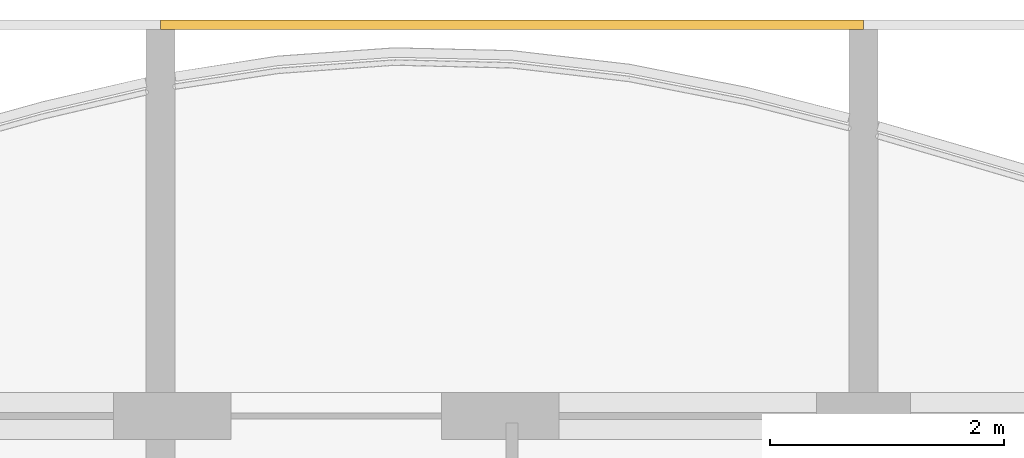
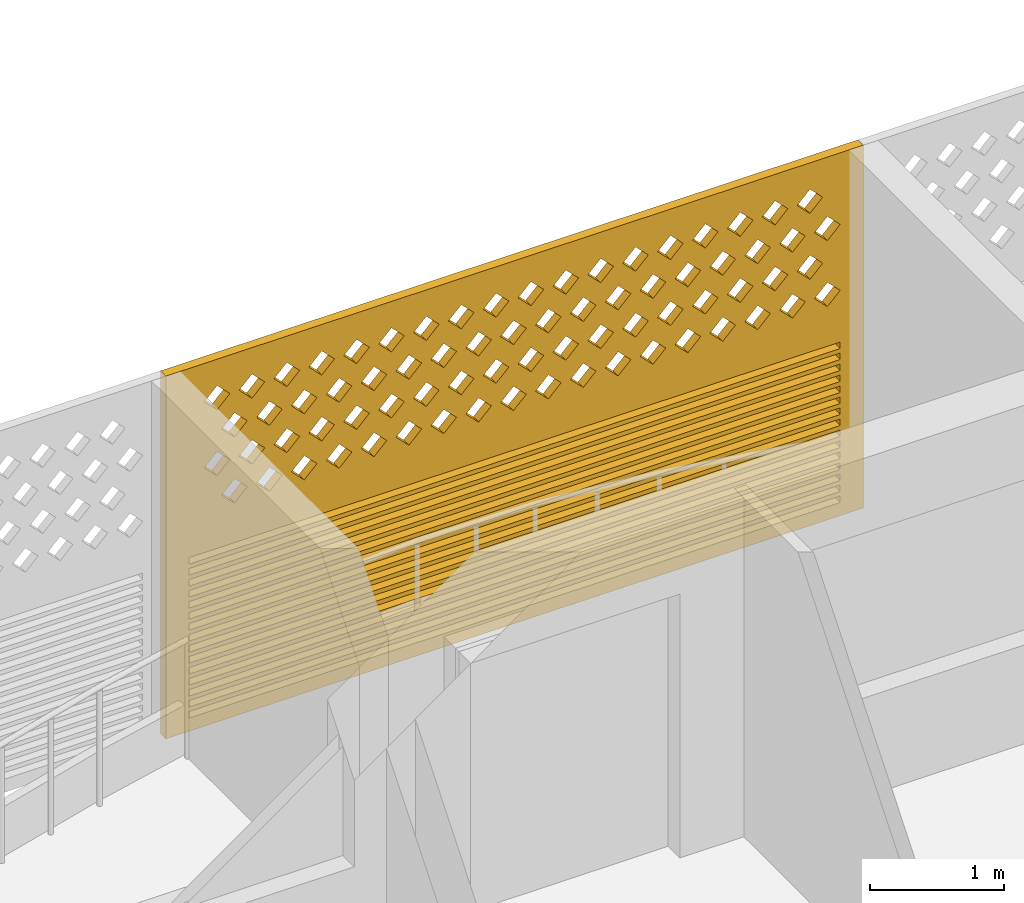
# One storey, part 26 of 28: 1 covering.
"""IFC4 building model written with IfcOpenShell, lengths in metres."""

from ifc_helpers import new_model, si_unit, direction, frame, origin, place, context, subcontext, project, spatial, polyline, outline, extrude, source, transform, mapped, material, material_profile, profile_set, type_object, element, save


model = new_model("IFC4")

# Units and contexts
model_context = context("Model", 3, precision=1e-05, world=origin(), true_north=direction((0.0, 1.0)))
body_context = subcontext(model_context, "Body", "Model", "MODEL_VIEW")
ifc_project = project(units=[si_unit("LENGTHUNIT", "METRE"), si_unit("AREAUNIT", "SQUARE_METRE"), si_unit("VOLUMEUNIT", "CUBIC_METRE"), si_unit("PLANEANGLEUNIT", "RADIAN"), si_unit("MASSUNIT", "GRAM", prefix="KILO")], contexts=[model_context])

# Site, building, storey
site_placement = place(None, origin())
site = spatial("IfcSite", under=ifc_project, at=site_placement, CompositionType="ELEMENT")
building_placement = place(site_placement, origin())
building = spatial("IfcBuilding", under=site, at=building_placement, Name="Poui Terraces", CompositionType="ELEMENT")
storey_placement = place(building_placement, frame((0.0, 0.0, 181.800048828125)))
storey = spatial("IfcBuildingStorey", under=building, at=storey_placement, Name="L50", CompositionType="ELEMENT", Elevation=181.800048828125)

# Covering
ifc_material = material(Name="Terracotta screen", Category="masonry")
ifc_material_profile = material_profile(ifc_material, outline(polyline([(-3.0, -1.64990234375), (3.0, -1.64990234375), (3.0, 1.64990234375), (-3.0, 1.64990234375), (-3.0, -1.64990234375)]), holes=[polyline([(-2.800048828125, 0.39990234375), (-2.68994140625, 0.2900390625), (-2.580078125, 0.39990234375), (-2.68994140625, 0.510009765625), (-2.800048828125, 0.39990234375)]), polyline([(-2.5, 0.39990234375), (-2.389892578125, 0.2900390625), (-2.280029296875, 0.39990234375), (-2.389892578125, 0.510009765625), (-2.5, 0.39990234375)]), polyline([(-2.199951171875, 0.39990234375), (-2.090087890625, 0.2900390625), (-1.97998046875, 0.39990234375), (-2.090087890625, 0.510009765625), (-2.199951171875, 0.39990234375)]), polyline([(-1.89990234375, 0.39990234375), (-1.7900390625, 0.2900390625), (-1.679931640625, 0.39990234375), (-1.7900390625, 0.510009765625), (-1.89990234375, 0.39990234375)]), polyline([(-1.60009765625, 0.39990234375), (-1.489990234375, 0.2900390625), (-1.3798828125, 0.39990234375), (-1.489990234375, 0.510009765625), (-1.60009765625, 0.39990234375)]), polyline([(-1.300048828125, 0.39990234375), (-1.18994140625, 0.2900390625), (-1.080078125, 0.39990234375), (-1.18994140625, 0.510009765625), (-1.300048828125, 0.39990234375)]), polyline([(-1.0, 0.39990234375), (-0.889892578125, 0.2900390625), (-0.780029296875, 0.39990234375), (-0.889892578125, 0.510009765625), (-1.0, 0.39990234375)]), polyline([(-0.699951171875, 0.39990234375), (-0.590087890625, 0.2900390625), (-0.47998046875, 0.39990234375), (-0.590087890625, 0.510009765625), (-0.699951171875, 0.39990234375)]), polyline([(-0.39990234375, 0.39990234375), (-0.2900390625, 0.2900390625), (-0.179931640625, 0.39990234375), (-0.2900390625, 0.510009765625), (-0.39990234375, 0.39990234375)]), polyline([(-0.10009765625, 0.39990234375), (0.010009765625, 0.2900390625), (0.1201171875, 0.39990234375), (0.010009765625, 0.510009765625), (-0.10009765625, 0.39990234375)]), polyline([(0.199951171875, 0.39990234375), (0.31005859375, 0.2900390625), (0.419921875, 0.39990234375), (0.31005859375, 0.510009765625), (0.199951171875, 0.39990234375)]), polyline([(0.5, 0.39990234375), (0.610107421875, 0.2900390625), (0.719970703125, 0.39990234375), (0.610107421875, 0.510009765625), (0.5, 0.39990234375)]), polyline([(0.800048828125, 0.39990234375), (0.909912109375, 0.2900390625), (1.02001953125, 0.39990234375), (0.909912109375, 0.510009765625), (0.800048828125, 0.39990234375)]), polyline([(1.10009765625, 0.39990234375), (1.2099609375, 0.2900390625), (1.320068359375, 0.39990234375), (1.2099609375, 0.510009765625), (1.10009765625, 0.39990234375)]), polyline([(1.39990234375, 0.39990234375), (1.510009765625, 0.2900390625), (1.6201171875, 0.39990234375), (1.510009765625, 0.510009765625), (1.39990234375, 0.39990234375)]), polyline([(1.699951171875, 0.39990234375), (1.81005859375, 0.2900390625), (1.919921875, 0.39990234375), (1.81005859375, 0.510009765625), (1.699951171875, 0.39990234375)]), polyline([(2.0, 0.39990234375), (2.110107421875, 0.2900390625), (2.219970703125, 0.39990234375), (2.110107421875, 0.510009765625), (2.0, 0.39990234375)]), polyline([(2.300048828125, 0.39990234375), (2.409912109375, 0.2900390625), (2.52001953125, 0.39990234375), (2.409912109375, 0.510009765625), (2.300048828125, 0.39990234375)]), polyline([(-2.64990234375, 0.699951171875), (-2.5400390625, 0.590087890625), (-2.429931640625, 0.699951171875), (-2.5400390625, 0.81005859375), (-2.64990234375, 0.699951171875)]), polyline([(-2.35009765625, 0.699951171875), (-2.239990234375, 0.590087890625), (-2.1298828125, 0.699951171875), (-2.239990234375, 0.81005859375), (-2.35009765625, 0.699951171875)]), polyline([(-2.050048828125, 0.699951171875), (-1.93994140625, 0.590087890625), (-1.830078125, 0.699951171875), (-1.93994140625, 0.81005859375), (-2.050048828125, 0.699951171875)]), polyline([(-1.75, 0.699951171875), (-1.639892578125, 0.590087890625), (-1.530029296875, 0.699951171875), (-1.639892578125, 0.81005859375), (-1.75, 0.699951171875)]), polyline([(-1.449951171875, 0.699951171875), (-1.340087890625, 0.590087890625), (-1.22998046875, 0.699951171875), (-1.340087890625, 0.81005859375), (-1.449951171875, 0.699951171875)]), polyline([(-1.14990234375, 0.699951171875), (-1.0400390625, 0.590087890625), (-0.929931640625, 0.699951171875), (-1.0400390625, 0.81005859375), (-1.14990234375, 0.699951171875)]), polyline([(-0.85009765625, 0.699951171875), (-0.739990234375, 0.590087890625), (-0.6298828125, 0.699951171875), (-0.739990234375, 0.81005859375), (-0.85009765625, 0.699951171875)]), polyline([(-0.550048828125, 0.699951171875), (-0.43994140625, 0.590087890625), (-0.330078125, 0.699951171875), (-0.43994140625, 0.81005859375), (-0.550048828125, 0.699951171875)]), polyline([(-0.25, 0.699951171875), (-0.139892578125, 0.590087890625), (-0.030029296875, 0.699951171875), (-0.139892578125, 0.81005859375), (-0.25, 0.699951171875)]), polyline([(0.050048828125, 0.699951171875), (0.159912109375, 0.590087890625), (0.27001953125, 0.699951171875), (0.159912109375, 0.81005859375), (0.050048828125, 0.699951171875)]), polyline([(0.35009765625, 0.699951171875), (0.4599609375, 0.590087890625), (0.570068359375, 0.699951171875), (0.4599609375, 0.81005859375), (0.35009765625, 0.699951171875)]), polyline([(0.64990234375, 0.699951171875), (0.760009765625, 0.590087890625), (0.8701171875, 0.699951171875), (0.760009765625, 0.81005859375), (0.64990234375, 0.699951171875)]), polyline([(0.949951171875, 0.699951171875), (1.06005859375, 0.590087890625), (1.169921875, 0.699951171875), (1.06005859375, 0.81005859375), (0.949951171875, 0.699951171875)]), polyline([(1.25, 0.699951171875), (1.360107421875, 0.590087890625), (1.469970703125, 0.699951171875), (1.360107421875, 0.81005859375), (1.25, 0.699951171875)]), polyline([(1.550048828125, 0.699951171875), (1.659912109375, 0.590087890625), (1.77001953125, 0.699951171875), (1.659912109375, 0.81005859375), (1.550048828125, 0.699951171875)]), polyline([(1.85009765625, 0.699951171875), (1.9599609375, 0.590087890625), (2.070068359375, 0.699951171875), (1.9599609375, 0.81005859375), (1.85009765625, 0.699951171875)]), polyline([(2.14990234375, 0.699951171875), (2.260009765625, 0.590087890625), (2.3701171875, 0.699951171875), (2.260009765625, 0.81005859375), (2.14990234375, 0.699951171875)]), polyline([(2.449951171875, 0.699951171875), (2.56005859375, 0.590087890625), (2.669921875, 0.699951171875), (2.56005859375, 0.81005859375), (2.449951171875, 0.699951171875)]), polyline([(-2.800048828125, 1.0), (-2.68994140625, 0.889892578125), (-2.580078125, 1.0), (-2.68994140625, 1.110107421875), (-2.800048828125, 1.0)]), polyline([(-2.5, 1.0), (-2.389892578125, 0.889892578125), (-2.280029296875, 1.0), (-2.389892578125, 1.110107421875), (-2.5, 1.0)]), polyline([(-2.199951171875, 1.0), (-2.090087890625, 0.889892578125), (-1.97998046875, 1.0), (-2.090087890625, 1.110107421875), (-2.199951171875, 1.0)]), polyline([(-1.89990234375, 1.0), (-1.7900390625, 0.889892578125), (-1.679931640625, 1.0), (-1.7900390625, 1.110107421875), (-1.89990234375, 1.0)]), polyline([(-1.60009765625, 1.0), (-1.489990234375, 0.889892578125), (-1.3798828125, 1.0), (-1.489990234375, 1.110107421875), (-1.60009765625, 1.0)]), polyline([(-1.300048828125, 1.0), (-1.18994140625, 0.889892578125), (-1.080078125, 1.0), (-1.18994140625, 1.110107421875), (-1.300048828125, 1.0)]), polyline([(-1.0, 1.0), (-0.889892578125, 0.889892578125), (-0.780029296875, 1.0), (-0.889892578125, 1.110107421875), (-1.0, 1.0)]), polyline([(-0.699951171875, 1.0), (-0.590087890625, 0.889892578125), (-0.47998046875, 1.0), (-0.590087890625, 1.110107421875), (-0.699951171875, 1.0)]), polyline([(-0.39990234375, 1.0), (-0.2900390625, 0.889892578125), (-0.179931640625, 1.0), (-0.2900390625, 1.110107421875), (-0.39990234375, 1.0)]), polyline([(-0.10009765625, 1.0), (0.010009765625, 0.889892578125), (0.1201171875, 1.0), (0.010009765625, 1.110107421875), (-0.10009765625, 1.0)]), polyline([(0.199951171875, 1.0), (0.31005859375, 0.889892578125), (0.419921875, 1.0), (0.31005859375, 1.110107421875), (0.199951171875, 1.0)]), polyline([(0.5, 1.0), (0.610107421875, 0.889892578125), (0.719970703125, 1.0), (0.610107421875, 1.110107421875), (0.5, 1.0)]), polyline([(0.800048828125, 1.0), (0.909912109375, 0.889892578125), (1.02001953125, 1.0), (0.909912109375, 1.110107421875), (0.800048828125, 1.0)]), polyline([(1.10009765625, 1.0), (1.2099609375, 0.889892578125), (1.320068359375, 1.0), (1.2099609375, 1.110107421875), (1.10009765625, 1.0)]), polyline([(1.39990234375, 1.0), (1.510009765625, 0.889892578125), (1.6201171875, 1.0), (1.510009765625, 1.110107421875), (1.39990234375, 1.0)]), polyline([(1.699951171875, 1.0), (1.81005859375, 0.889892578125), (1.919921875, 1.0), (1.81005859375, 1.110107421875), (1.699951171875, 1.0)]), polyline([(2.0, 1.0), (2.110107421875, 0.889892578125), (2.219970703125, 1.0), (2.110107421875, 1.110107421875), (2.0, 1.0)]), polyline([(2.300048828125, 1.0), (2.409912109375, 0.889892578125), (2.52001953125, 1.0), (2.409912109375, 1.110107421875), (2.300048828125, 1.0)]), polyline([(-2.64990234375, 1.300048828125), (-2.5400390625, 1.18994140625), (-2.429931640625, 1.300048828125), (-2.5400390625, 1.409912109375), (-2.64990234375, 1.300048828125)]), polyline([(-2.35009765625, 1.300048828125), (-2.239990234375, 1.18994140625), (-2.1298828125, 1.300048828125), (-2.239990234375, 1.409912109375), (-2.35009765625, 1.300048828125)]), polyline([(-2.050048828125, 1.300048828125), (-1.93994140625, 1.18994140625), (-1.830078125, 1.300048828125), (-1.93994140625, 1.409912109375), (-2.050048828125, 1.300048828125)]), polyline([(-1.75, 1.300048828125), (-1.639892578125, 1.18994140625), (-1.530029296875, 1.300048828125), (-1.639892578125, 1.409912109375), (-1.75, 1.300048828125)]), polyline([(-1.449951171875, 1.300048828125), (-1.340087890625, 1.18994140625), (-1.22998046875, 1.300048828125), (-1.340087890625, 1.409912109375), (-1.449951171875, 1.300048828125)]), polyline([(-1.14990234375, 1.300048828125), (-1.0400390625, 1.18994140625), (-0.929931640625, 1.300048828125), (-1.0400390625, 1.409912109375), (-1.14990234375, 1.300048828125)]), polyline([(-0.85009765625, 1.300048828125), (-0.739990234375, 1.18994140625), (-0.6298828125, 1.300048828125), (-0.739990234375, 1.409912109375), (-0.85009765625, 1.300048828125)]), polyline([(-0.550048828125, 1.300048828125), (-0.43994140625, 1.18994140625), (-0.330078125, 1.300048828125), (-0.43994140625, 1.409912109375), (-0.550048828125, 1.300048828125)]), polyline([(-0.25, 1.300048828125), (-0.139892578125, 1.18994140625), (-0.030029296875, 1.300048828125), (-0.139892578125, 1.409912109375), (-0.25, 1.300048828125)]), polyline([(0.050048828125, 1.300048828125), (0.159912109375, 1.18994140625), (0.27001953125, 1.300048828125), (0.159912109375, 1.409912109375), (0.050048828125, 1.300048828125)]), polyline([(0.35009765625, 1.300048828125), (0.4599609375, 1.18994140625), (0.570068359375, 1.300048828125), (0.4599609375, 1.409912109375), (0.35009765625, 1.300048828125)]), polyline([(0.64990234375, 1.300048828125), (0.760009765625, 1.18994140625), (0.8701171875, 1.300048828125), (0.760009765625, 1.409912109375), (0.64990234375, 1.300048828125)]), polyline([(0.949951171875, 1.300048828125), (1.06005859375, 1.18994140625), (1.169921875, 1.300048828125), (1.06005859375, 1.409912109375), (0.949951171875, 1.300048828125)]), polyline([(1.25, 1.300048828125), (1.360107421875, 1.18994140625), (1.469970703125, 1.300048828125), (1.360107421875, 1.409912109375), (1.25, 1.300048828125)]), polyline([(1.550048828125, 1.300048828125), (1.659912109375, 1.18994140625), (1.77001953125, 1.300048828125), (1.659912109375, 1.409912109375), (1.550048828125, 1.300048828125)]), polyline([(1.85009765625, 1.300048828125), (1.9599609375, 1.18994140625), (2.070068359375, 1.300048828125), (1.9599609375, 1.409912109375), (1.85009765625, 1.300048828125)]), polyline([(2.14990234375, 1.300048828125), (2.260009765625, 1.18994140625), (2.3701171875, 1.300048828125), (2.260009765625, 1.409912109375), (2.14990234375, 1.300048828125)]), polyline([(2.449951171875, 1.300048828125), (2.56005859375, 1.18994140625), (2.669921875, 1.300048828125), (2.56005859375, 1.409912109375), (2.449951171875, 1.300048828125)]), polyline([(-2.800048828125, -1.530029296875), (2.800048828125, -1.530029296875), (2.800048828125, -1.469970703125), (-2.800048828125, -1.469970703125), (-2.800048828125, -1.530029296875)]), polyline([(-2.800048828125, -1.429931640625), (2.800048828125, -1.429931640625), (2.800048828125, -1.3701171875), (-2.800048828125, -1.3701171875), (-2.800048828125, -1.429931640625)]), polyline([(-2.800048828125, -1.330078125), (2.800048828125, -1.330078125), (2.800048828125, -1.27001953125), (-2.800048828125, -1.27001953125), (-2.800048828125, -1.330078125)]), polyline([(-2.800048828125, -1.22998046875), (2.800048828125, -1.22998046875), (2.800048828125, -1.169921875), (-2.800048828125, -1.169921875), (-2.800048828125, -1.22998046875)]), polyline([(-2.800048828125, -1.1298828125), (2.800048828125, -1.1298828125), (2.800048828125, -1.070068359375), (-2.800048828125, -1.070068359375), (-2.800048828125, -1.1298828125)]), polyline([(-2.800048828125, -1.030029296875), (2.800048828125, -1.030029296875), (2.800048828125, -0.969970703125), (-2.800048828125, -0.969970703125), (-2.800048828125, -1.030029296875)]), polyline([(-2.800048828125, -0.929931640625), (2.800048828125, -0.929931640625), (2.800048828125, -0.8701171875), (-2.800048828125, -0.8701171875), (-2.800048828125, -0.929931640625)]), polyline([(-2.800048828125, -0.830078125), (2.800048828125, -0.830078125), (2.800048828125, -0.77001953125), (-2.800048828125, -0.77001953125), (-2.800048828125, -0.830078125)]), polyline([(-2.800048828125, -0.72998046875), (2.800048828125, -0.72998046875), (2.800048828125, -0.669921875), (-2.800048828125, -0.669921875), (-2.800048828125, -0.72998046875)]), polyline([(-2.800048828125, -0.6298828125), (2.800048828125, -0.6298828125), (2.800048828125, -0.570068359375), (-2.800048828125, -0.570068359375), (-2.800048828125, -0.6298828125)]), polyline([(-2.800048828125, -0.530029296875), (2.800048828125, -0.530029296875), (2.800048828125, -0.469970703125), (-2.800048828125, -0.469970703125), (-2.800048828125, -0.530029296875)]), polyline([(-2.800048828125, -0.429931640625), (2.800048828125, -0.429931640625), (2.800048828125, -0.3701171875), (-2.800048828125, -0.3701171875), (-2.800048828125, -0.429931640625)]), polyline([(-2.800048828125, -0.330078125), (2.800048828125, -0.330078125), (2.800048828125, -0.27001953125), (-2.800048828125, -0.27001953125), (-2.800048828125, -0.330078125)]), polyline([(-2.800048828125, -0.22998046875), (2.800048828125, -0.22998046875), (2.800048828125, -0.169921875), (-2.800048828125, -0.169921875), (-2.800048828125, -0.22998046875)]), polyline([(-2.800048828125, -0.1298828125), (2.800048828125, -0.1298828125), (2.800048828125, -0.070068359375), (-2.800048828125, -0.070068359375), (-2.800048828125, -0.1298828125)])]), Name="TERRACOTTA SCREEN AND JALOUSIE LOUVRE 6000X3300")
ifc_profile_set = profile_set([ifc_material_profile], Name="Terracotta screen")
covering_type = type_object("IfcCoveringType", Name="TERRACOTTA SCREEN AND JALOUSIE LOUVRE 6000X3300", PredefinedType="CLADDING", material=ifc_profile_set)
shared_shape = source(origin(), body_context, "Body", "SweptSolid", [
    extrude(outline(polyline([(-3.0, -1.64990234375), (3.0, -1.64990234375), (3.0, 1.64990234375), (-3.0, 1.64990234375), (-3.0, -1.64990234375)]), holes=[polyline([(-2.800048828125, 0.39990234375), (-2.68994140625, 0.2900390625), (-2.580078125, 0.39990234375), (-2.68994140625, 0.510009765625), (-2.800048828125, 0.39990234375)]), polyline([(-2.5, 0.39990234375), (-2.389892578125, 0.2900390625), (-2.280029296875, 0.39990234375), (-2.389892578125, 0.510009765625), (-2.5, 0.39990234375)]), polyline([(-2.199951171875, 0.39990234375), (-2.090087890625, 0.2900390625), (-1.97998046875, 0.39990234375), (-2.090087890625, 0.510009765625), (-2.199951171875, 0.39990234375)]), polyline([(-1.89990234375, 0.39990234375), (-1.7900390625, 0.2900390625), (-1.679931640625, 0.39990234375), (-1.7900390625, 0.510009765625), (-1.89990234375, 0.39990234375)]), polyline([(-1.60009765625, 0.39990234375), (-1.489990234375, 0.2900390625), (-1.3798828125, 0.39990234375), (-1.489990234375, 0.510009765625), (-1.60009765625, 0.39990234375)]), polyline([(-1.300048828125, 0.39990234375), (-1.18994140625, 0.2900390625), (-1.080078125, 0.39990234375), (-1.18994140625, 0.510009765625), (-1.300048828125, 0.39990234375)]), polyline([(-1.0, 0.39990234375), (-0.889892578125, 0.2900390625), (-0.780029296875, 0.39990234375), (-0.889892578125, 0.510009765625), (-1.0, 0.39990234375)]), polyline([(-0.699951171875, 0.39990234375), (-0.590087890625, 0.2900390625), (-0.47998046875, 0.39990234375), (-0.590087890625, 0.510009765625), (-0.699951171875, 0.39990234375)]), polyline([(-0.39990234375, 0.39990234375), (-0.2900390625, 0.2900390625), (-0.179931640625, 0.39990234375), (-0.2900390625, 0.510009765625), (-0.39990234375, 0.39990234375)]), polyline([(-0.10009765625, 0.39990234375), (0.010009765625, 0.2900390625), (0.1201171875, 0.39990234375), (0.010009765625, 0.510009765625), (-0.10009765625, 0.39990234375)]), polyline([(0.199951171875, 0.39990234375), (0.31005859375, 0.2900390625), (0.419921875, 0.39990234375), (0.31005859375, 0.510009765625), (0.199951171875, 0.39990234375)]), polyline([(0.5, 0.39990234375), (0.610107421875, 0.2900390625), (0.719970703125, 0.39990234375), (0.610107421875, 0.510009765625), (0.5, 0.39990234375)]), polyline([(0.800048828125, 0.39990234375), (0.909912109375, 0.2900390625), (1.02001953125, 0.39990234375), (0.909912109375, 0.510009765625), (0.800048828125, 0.39990234375)]), polyline([(1.10009765625, 0.39990234375), (1.2099609375, 0.2900390625), (1.320068359375, 0.39990234375), (1.2099609375, 0.510009765625), (1.10009765625, 0.39990234375)]), polyline([(1.39990234375, 0.39990234375), (1.510009765625, 0.2900390625), (1.6201171875, 0.39990234375), (1.510009765625, 0.510009765625), (1.39990234375, 0.39990234375)]), polyline([(1.699951171875, 0.39990234375), (1.81005859375, 0.2900390625), (1.919921875, 0.39990234375), (1.81005859375, 0.510009765625), (1.699951171875, 0.39990234375)]), polyline([(2.0, 0.39990234375), (2.110107421875, 0.2900390625), (2.219970703125, 0.39990234375), (2.110107421875, 0.510009765625), (2.0, 0.39990234375)]), polyline([(2.300048828125, 0.39990234375), (2.409912109375, 0.2900390625), (2.52001953125, 0.39990234375), (2.409912109375, 0.510009765625), (2.300048828125, 0.39990234375)]), polyline([(-2.64990234375, 0.699951171875), (-2.5400390625, 0.590087890625), (-2.429931640625, 0.699951171875), (-2.5400390625, 0.81005859375), (-2.64990234375, 0.699951171875)]), polyline([(-2.35009765625, 0.699951171875), (-2.239990234375, 0.590087890625), (-2.1298828125, 0.699951171875), (-2.239990234375, 0.81005859375), (-2.35009765625, 0.699951171875)]), polyline([(-2.050048828125, 0.699951171875), (-1.93994140625, 0.590087890625), (-1.830078125, 0.699951171875), (-1.93994140625, 0.81005859375), (-2.050048828125, 0.699951171875)]), polyline([(-1.75, 0.699951171875), (-1.639892578125, 0.590087890625), (-1.530029296875, 0.699951171875), (-1.639892578125, 0.81005859375), (-1.75, 0.699951171875)]), polyline([(-1.449951171875, 0.699951171875), (-1.340087890625, 0.590087890625), (-1.22998046875, 0.699951171875), (-1.340087890625, 0.81005859375), (-1.449951171875, 0.699951171875)]), polyline([(-1.14990234375, 0.699951171875), (-1.0400390625, 0.590087890625), (-0.929931640625, 0.699951171875), (-1.0400390625, 0.81005859375), (-1.14990234375, 0.699951171875)]), polyline([(-0.85009765625, 0.699951171875), (-0.739990234375, 0.590087890625), (-0.6298828125, 0.699951171875), (-0.739990234375, 0.81005859375), (-0.85009765625, 0.699951171875)]), polyline([(-0.550048828125, 0.699951171875), (-0.43994140625, 0.590087890625), (-0.330078125, 0.699951171875), (-0.43994140625, 0.81005859375), (-0.550048828125, 0.699951171875)]), polyline([(-0.25, 0.699951171875), (-0.139892578125, 0.590087890625), (-0.030029296875, 0.699951171875), (-0.139892578125, 0.81005859375), (-0.25, 0.699951171875)]), polyline([(0.050048828125, 0.699951171875), (0.159912109375, 0.590087890625), (0.27001953125, 0.699951171875), (0.159912109375, 0.81005859375), (0.050048828125, 0.699951171875)]), polyline([(0.35009765625, 0.699951171875), (0.4599609375, 0.590087890625), (0.570068359375, 0.699951171875), (0.4599609375, 0.81005859375), (0.35009765625, 0.699951171875)]), polyline([(0.64990234375, 0.699951171875), (0.760009765625, 0.590087890625), (0.8701171875, 0.699951171875), (0.760009765625, 0.81005859375), (0.64990234375, 0.699951171875)]), polyline([(0.949951171875, 0.699951171875), (1.06005859375, 0.590087890625), (1.169921875, 0.699951171875), (1.06005859375, 0.81005859375), (0.949951171875, 0.699951171875)]), polyline([(1.25, 0.699951171875), (1.360107421875, 0.590087890625), (1.469970703125, 0.699951171875), (1.360107421875, 0.81005859375), (1.25, 0.699951171875)]), polyline([(1.550048828125, 0.699951171875), (1.659912109375, 0.590087890625), (1.77001953125, 0.699951171875), (1.659912109375, 0.81005859375), (1.550048828125, 0.699951171875)]), polyline([(1.85009765625, 0.699951171875), (1.9599609375, 0.590087890625), (2.070068359375, 0.699951171875), (1.9599609375, 0.81005859375), (1.85009765625, 0.699951171875)]), polyline([(2.14990234375, 0.699951171875), (2.260009765625, 0.590087890625), (2.3701171875, 0.699951171875), (2.260009765625, 0.81005859375), (2.14990234375, 0.699951171875)]), polyline([(2.449951171875, 0.699951171875), (2.56005859375, 0.590087890625), (2.669921875, 0.699951171875), (2.56005859375, 0.81005859375), (2.449951171875, 0.699951171875)]), polyline([(-2.800048828125, 1.0), (-2.68994140625, 0.889892578125), (-2.580078125, 1.0), (-2.68994140625, 1.110107421875), (-2.800048828125, 1.0)]), polyline([(-2.5, 1.0), (-2.389892578125, 0.889892578125), (-2.280029296875, 1.0), (-2.389892578125, 1.110107421875), (-2.5, 1.0)]), polyline([(-2.199951171875, 1.0), (-2.090087890625, 0.889892578125), (-1.97998046875, 1.0), (-2.090087890625, 1.110107421875), (-2.199951171875, 1.0)]), polyline([(-1.89990234375, 1.0), (-1.7900390625, 0.889892578125), (-1.679931640625, 1.0), (-1.7900390625, 1.110107421875), (-1.89990234375, 1.0)]), polyline([(-1.60009765625, 1.0), (-1.489990234375, 0.889892578125), (-1.3798828125, 1.0), (-1.489990234375, 1.110107421875), (-1.60009765625, 1.0)]), polyline([(-1.300048828125, 1.0), (-1.18994140625, 0.889892578125), (-1.080078125, 1.0), (-1.18994140625, 1.110107421875), (-1.300048828125, 1.0)]), polyline([(-1.0, 1.0), (-0.889892578125, 0.889892578125), (-0.780029296875, 1.0), (-0.889892578125, 1.110107421875), (-1.0, 1.0)]), polyline([(-0.699951171875, 1.0), (-0.590087890625, 0.889892578125), (-0.47998046875, 1.0), (-0.590087890625, 1.110107421875), (-0.699951171875, 1.0)]), polyline([(-0.39990234375, 1.0), (-0.2900390625, 0.889892578125), (-0.179931640625, 1.0), (-0.2900390625, 1.110107421875), (-0.39990234375, 1.0)]), polyline([(-0.10009765625, 1.0), (0.010009765625, 0.889892578125), (0.1201171875, 1.0), (0.010009765625, 1.110107421875), (-0.10009765625, 1.0)]), polyline([(0.199951171875, 1.0), (0.31005859375, 0.889892578125), (0.419921875, 1.0), (0.31005859375, 1.110107421875), (0.199951171875, 1.0)]), polyline([(0.5, 1.0), (0.610107421875, 0.889892578125), (0.719970703125, 1.0), (0.610107421875, 1.110107421875), (0.5, 1.0)]), polyline([(0.800048828125, 1.0), (0.909912109375, 0.889892578125), (1.02001953125, 1.0), (0.909912109375, 1.110107421875), (0.800048828125, 1.0)]), polyline([(1.10009765625, 1.0), (1.2099609375, 0.889892578125), (1.320068359375, 1.0), (1.2099609375, 1.110107421875), (1.10009765625, 1.0)]), polyline([(1.39990234375, 1.0), (1.510009765625, 0.889892578125), (1.6201171875, 1.0), (1.510009765625, 1.110107421875), (1.39990234375, 1.0)]), polyline([(1.699951171875, 1.0), (1.81005859375, 0.889892578125), (1.919921875, 1.0), (1.81005859375, 1.110107421875), (1.699951171875, 1.0)]), polyline([(2.0, 1.0), (2.110107421875, 0.889892578125), (2.219970703125, 1.0), (2.110107421875, 1.110107421875), (2.0, 1.0)]), polyline([(2.300048828125, 1.0), (2.409912109375, 0.889892578125), (2.52001953125, 1.0), (2.409912109375, 1.110107421875), (2.300048828125, 1.0)]), polyline([(-2.64990234375, 1.300048828125), (-2.5400390625, 1.18994140625), (-2.429931640625, 1.300048828125), (-2.5400390625, 1.409912109375), (-2.64990234375, 1.300048828125)]), polyline([(-2.35009765625, 1.300048828125), (-2.239990234375, 1.18994140625), (-2.1298828125, 1.300048828125), (-2.239990234375, 1.409912109375), (-2.35009765625, 1.300048828125)]), polyline([(-2.050048828125, 1.300048828125), (-1.93994140625, 1.18994140625), (-1.830078125, 1.300048828125), (-1.93994140625, 1.409912109375), (-2.050048828125, 1.300048828125)]), polyline([(-1.75, 1.300048828125), (-1.639892578125, 1.18994140625), (-1.530029296875, 1.300048828125), (-1.639892578125, 1.409912109375), (-1.75, 1.300048828125)]), polyline([(-1.449951171875, 1.300048828125), (-1.340087890625, 1.18994140625), (-1.22998046875, 1.300048828125), (-1.340087890625, 1.409912109375), (-1.449951171875, 1.300048828125)]), polyline([(-1.14990234375, 1.300048828125), (-1.0400390625, 1.18994140625), (-0.929931640625, 1.300048828125), (-1.0400390625, 1.409912109375), (-1.14990234375, 1.300048828125)]), polyline([(-0.85009765625, 1.300048828125), (-0.739990234375, 1.18994140625), (-0.6298828125, 1.300048828125), (-0.739990234375, 1.409912109375), (-0.85009765625, 1.300048828125)]), polyline([(-0.550048828125, 1.300048828125), (-0.43994140625, 1.18994140625), (-0.330078125, 1.300048828125), (-0.43994140625, 1.409912109375), (-0.550048828125, 1.300048828125)]), polyline([(-0.25, 1.300048828125), (-0.139892578125, 1.18994140625), (-0.030029296875, 1.300048828125), (-0.139892578125, 1.409912109375), (-0.25, 1.300048828125)]), polyline([(0.050048828125, 1.300048828125), (0.159912109375, 1.18994140625), (0.27001953125, 1.300048828125), (0.159912109375, 1.409912109375), (0.050048828125, 1.300048828125)]), polyline([(0.35009765625, 1.300048828125), (0.4599609375, 1.18994140625), (0.570068359375, 1.300048828125), (0.4599609375, 1.409912109375), (0.35009765625, 1.300048828125)]), polyline([(0.64990234375, 1.300048828125), (0.760009765625, 1.18994140625), (0.8701171875, 1.300048828125), (0.760009765625, 1.409912109375), (0.64990234375, 1.300048828125)]), polyline([(0.949951171875, 1.300048828125), (1.06005859375, 1.18994140625), (1.169921875, 1.300048828125), (1.06005859375, 1.409912109375), (0.949951171875, 1.300048828125)]), polyline([(1.25, 1.300048828125), (1.360107421875, 1.18994140625), (1.469970703125, 1.300048828125), (1.360107421875, 1.409912109375), (1.25, 1.300048828125)]), polyline([(1.550048828125, 1.300048828125), (1.659912109375, 1.18994140625), (1.77001953125, 1.300048828125), (1.659912109375, 1.409912109375), (1.550048828125, 1.300048828125)]), polyline([(1.85009765625, 1.300048828125), (1.9599609375, 1.18994140625), (2.070068359375, 1.300048828125), (1.9599609375, 1.409912109375), (1.85009765625, 1.300048828125)]), polyline([(2.14990234375, 1.300048828125), (2.260009765625, 1.18994140625), (2.3701171875, 1.300048828125), (2.260009765625, 1.409912109375), (2.14990234375, 1.300048828125)]), polyline([(2.449951171875, 1.300048828125), (2.56005859375, 1.18994140625), (2.669921875, 1.300048828125), (2.56005859375, 1.409912109375), (2.449951171875, 1.300048828125)]), polyline([(-2.800048828125, -1.530029296875), (2.800048828125, -1.530029296875), (2.800048828125, -1.469970703125), (-2.800048828125, -1.469970703125), (-2.800048828125, -1.530029296875)]), polyline([(-2.800048828125, -1.429931640625), (2.800048828125, -1.429931640625), (2.800048828125, -1.3701171875), (-2.800048828125, -1.3701171875), (-2.800048828125, -1.429931640625)]), polyline([(-2.800048828125, -1.330078125), (2.800048828125, -1.330078125), (2.800048828125, -1.27001953125), (-2.800048828125, -1.27001953125), (-2.800048828125, -1.330078125)]), polyline([(-2.800048828125, -1.22998046875), (2.800048828125, -1.22998046875), (2.800048828125, -1.169921875), (-2.800048828125, -1.169921875), (-2.800048828125, -1.22998046875)]), polyline([(-2.800048828125, -1.1298828125), (2.800048828125, -1.1298828125), (2.800048828125, -1.070068359375), (-2.800048828125, -1.070068359375), (-2.800048828125, -1.1298828125)]), polyline([(-2.800048828125, -1.030029296875), (2.800048828125, -1.030029296875), (2.800048828125, -0.969970703125), (-2.800048828125, -0.969970703125), (-2.800048828125, -1.030029296875)]), polyline([(-2.800048828125, -0.929931640625), (2.800048828125, -0.929931640625), (2.800048828125, -0.8701171875), (-2.800048828125, -0.8701171875), (-2.800048828125, -0.929931640625)]), polyline([(-2.800048828125, -0.830078125), (2.800048828125, -0.830078125), (2.800048828125, -0.77001953125), (-2.800048828125, -0.77001953125), (-2.800048828125, -0.830078125)]), polyline([(-2.800048828125, -0.72998046875), (2.800048828125, -0.72998046875), (2.800048828125, -0.669921875), (-2.800048828125, -0.669921875), (-2.800048828125, -0.72998046875)]), polyline([(-2.800048828125, -0.6298828125), (2.800048828125, -0.6298828125), (2.800048828125, -0.570068359375), (-2.800048828125, -0.570068359375), (-2.800048828125, -0.6298828125)]), polyline([(-2.800048828125, -0.530029296875), (2.800048828125, -0.530029296875), (2.800048828125, -0.469970703125), (-2.800048828125, -0.469970703125), (-2.800048828125, -0.530029296875)]), polyline([(-2.800048828125, -0.429931640625), (2.800048828125, -0.429931640625), (2.800048828125, -0.3701171875), (-2.800048828125, -0.3701171875), (-2.800048828125, -0.429931640625)]), polyline([(-2.800048828125, -0.330078125), (2.800048828125, -0.330078125), (2.800048828125, -0.27001953125), (-2.800048828125, -0.27001953125), (-2.800048828125, -0.330078125)]), polyline([(-2.800048828125, -0.22998046875), (2.800048828125, -0.22998046875), (2.800048828125, -0.169921875), (-2.800048828125, -0.169921875), (-2.800048828125, -0.22998046875)]), polyline([(-2.800048828125, -0.1298828125), (2.800048828125, -0.1298828125), (2.800048828125, -0.070068359375), (-2.800048828125, -0.070068359375), (-2.800048828125, -0.1298828125)])]), origin(), (0.0, 0.0, 1.0), 0.080078125),
])
covering_placement = place(storey_placement, frame((69.0, 44.5, 1.449951171875), z_axis=(0.0, 1.0, 0.0), x_axis=(-1.0, 0.0, 0.0)))
element("IfcCovering", 1, at=covering_placement, inside=storey, type_object=covering_type, Name="SOLAR SCREEN AND JALOUSIE LOUVRE", PredefinedType="CLADDING", context=body_context, shape_type="MappedRepresentation", body=[
    mapped(shared_shape, transform((0.0, 0.0, 0.0))),
])

save(model, "model.ifc")
